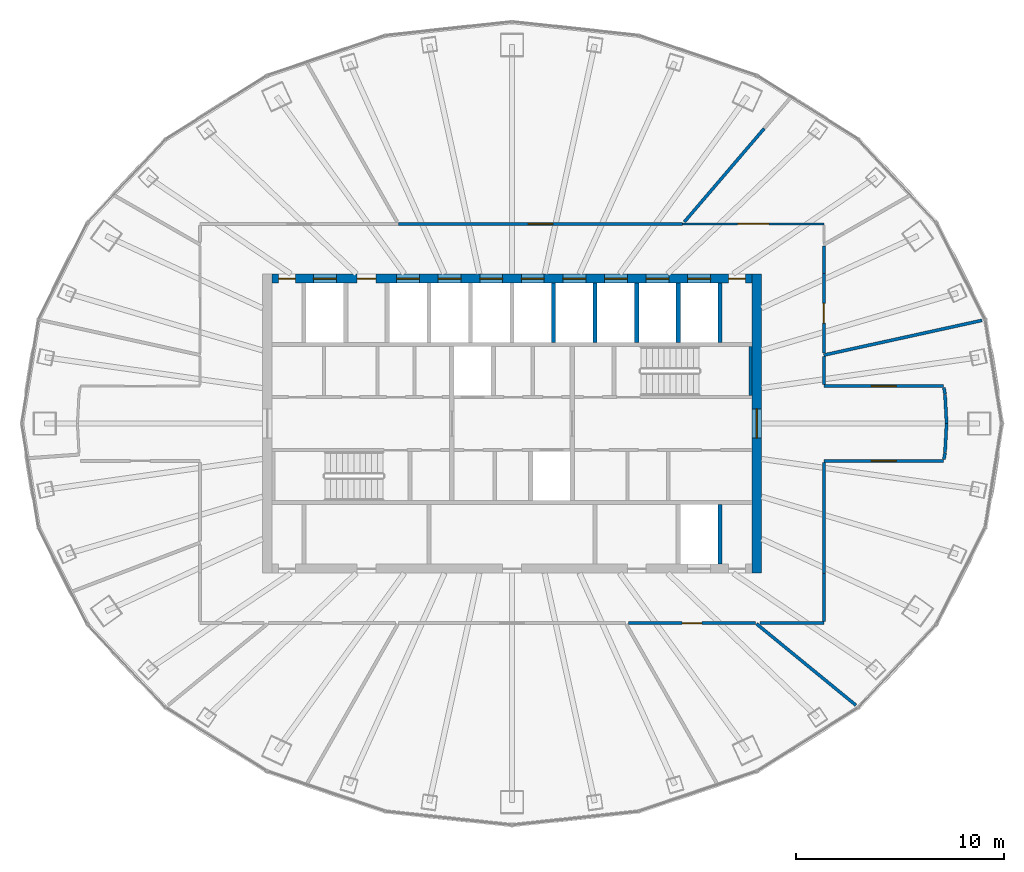
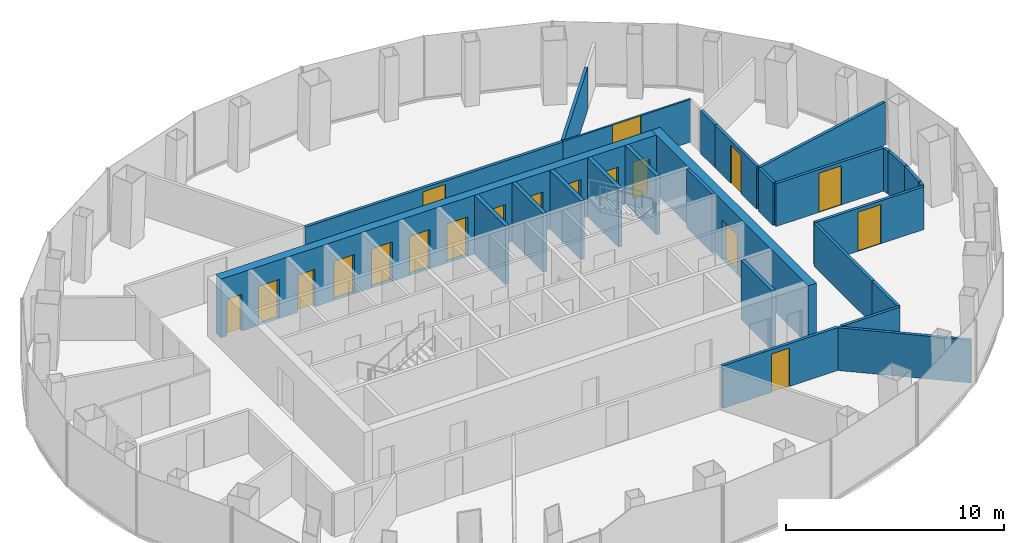
# One storey, part 11 of 13: 27 walls, 19 doors, 19 openings.
"""IFC4 building model written with IfcOpenShell, lengths in metres."""

from ifc_helpers import new_model, si_unit, direction, frame, frame_2d, origin, place, context, subcontext, project, spatial, rectangle, extrude, material, layer, layer_set, type_object, element, fill, save


model = new_model("IFC4")

# Units and contexts
model_context = context("Model", 3, precision=1e-05, world=origin(), true_north=direction((0.0, 1.0)))
body_context = subcontext(model_context, "Body", "Model", "MODEL_VIEW")
ifc_project = project(units=[si_unit("LENGTHUNIT", "METRE"), si_unit("AREAUNIT", "SQUARE_METRE"), si_unit("VOLUMEUNIT", "CUBIC_METRE"), si_unit("PLANEANGLEUNIT", "RADIAN"), si_unit("MASSUNIT", "GRAM", prefix="KILO")], contexts=[model_context])

# Site, building, storey
site_placement = place(None, origin())
site = spatial("IfcSite", under=ifc_project, at=site_placement, CompositionType="ELEMENT")
building_placement = place(site_placement, origin())
building = spatial("IfcBuilding", under=site, at=building_placement, Name="Siaravel Broadcast Tower", CompositionType="ELEMENT")
storey_placement = place(building_placement, frame((0.0, 0.0, 171.89990234375)))
storey = spatial("IfcBuildingStorey", under=building, at=storey_placement, Name="L41", CompositionType="ELEMENT", Elevation=171.89990234375)

# Wall, opening, door
ifc_material_1 = material(Name="Concrete C60/75", Category="concrete")
ifc_layer_1 = layer(ifc_material_1, 0.449951171875)
ifc_layer_set_1 = layer_set([ifc_layer_1], Name="Concrete C60/75")
wall_type_1 = type_object("IfcWallType", Name="Core wall 450", PredefinedType="SHEAR", material=ifc_layer_set_1)
wall_1_placement = place(storey_placement, frame((11.77490234375, -7.199951171875, 0.0), z_axis=(0.0, 0.0, 1.0), x_axis=(0.0, 1.0, 0.0)))
wall_1 = element("IfcWall", 1, at=wall_1_placement, inside=storey, type_object=wall_type_1, Name="L41 core wall OE", PredefinedType="SHEAR", context=body_context, shape_type="SweptSolid", body=[
    extrude(rectangle(XDim=14.39990234375, YDim=0.449951171875, at=frame_2d((7.199951171875, 0.0))), origin(), (0.0, 0.0, 1.0), 3.300048828125),
])
opening_1_placement = place(wall_1_placement, frame((6.5, 0.0, 0.0)))
opening_1 = element("IfcOpeningElement", 2, at=opening_1_placement, cuts=wall_1, Name="Opening L41-DX-E", PredefinedType="OPENING", context=body_context, shape_type="SweptSolid", body=[
    extrude(rectangle(XDim=1.39990234375, YDim=2.199951171875, at=frame_2d((0.699951171875, 1.10009765625))), frame((0.0, 0.23486328125, 0.0), z_axis=(0.0, -1.0, 0.0), x_axis=(1.0, 0.0, 0.0)), (0.0, 0.0, 1.0), 0.469970703125),
])
ifc_material_2 = material(Name="Steel", Category="steel")
door_type_1 = type_object("IfcDoorType", Name="Core exit door 1400", OperationType="DOUBLE_DOOR_SINGLE_SWING", PredefinedType="DOOR", material=ifc_material_2)
door_1_placement = place(opening_1_placement, origin())
door_1 = element("IfcDoor", 3, at=door_1_placement, inside=storey, type_object=door_type_1, Name="L41 door DX-E", OperationType="DOUBLE_DOOR_SINGLE_SWING", OverallHeight=2.199951171875, OverallWidth=1.39990234375, PredefinedType="DOOR", context=body_context, shape_type="SweptSolid", body=[
    extrude(rectangle(XDim=1.39990234375, YDim=2.199951171875, at=frame_2d((0.699951171875, 1.10009765625))), frame((0.0, 0.02490234375, 0.0), z_axis=(0.0, -1.0, 0.0), x_axis=(1.0, 0.0, 0.0)), (0.0, 0.0, 1.0), 0.050048828125),
])
fill(opening_1, door_1)

# Wall, openings, doors
wall_2_placement = place(storey_placement, frame((-11.550048828125, 6.97509765625, 0.0), z_axis=(0.0, 0.0, 1.0), x_axis=(1.0, 0.0, 0.0)))
wall_2 = element("IfcWall", 4, at=wall_2_placement, inside=storey, type_object=wall_type_1, Name="L41 core wall ON", PredefinedType="SHEAR", context=body_context, shape_type="SweptSolid", body=[
    extrude(rectangle(XDim=23.10009765625, YDim=0.449951171875, at=frame_2d((11.550048828125, 0.0))), origin(), (0.0, 0.0, 1.0), 3.300048828125),
])
opening_2_placement = place(wall_2_placement, frame((2.0, 0.0, 0.0)))
opening_2 = element("IfcOpeningElement", 5, at=opening_2_placement, cuts=wall_2, Name="Opening LD-SV2-L41", PredefinedType="OPENING", context=body_context, shape_type="SweptSolid", body=[
    extrude(rectangle(XDim=1.10009765625, YDim=2.199951171875, at=frame_2d((0.550048828125, 1.10009765625))), frame((0.0, 0.23486328125, 0.0), z_axis=(0.0, -1.0, 0.0), x_axis=(1.0, 0.0, 0.0)), (0.0, 0.0, 1.0), 0.469970703125),
])
opening_3_placement = place(wall_2_placement, frame((6.0, 0.0, 0.0)))
opening_3 = element("IfcOpeningElement", 6, at=opening_3_placement, cuts=wall_2, Name="Opening LD-HP1-L41", PredefinedType="OPENING", context=body_context, shape_type="SweptSolid", body=[
    extrude(rectangle(XDim=1.10009765625, YDim=2.199951171875, at=frame_2d((0.550048828125, 1.10009765625))), frame((0.0, 0.23486328125, 0.0), z_axis=(0.0, -1.0, 0.0), x_axis=(1.0, 0.0, 0.0)), (0.0, 0.0, 1.0), 0.469970703125),
])
opening_4_placement = place(wall_2_placement, frame((8.0, 0.0, 0.0)))
opening_4 = element("IfcOpeningElement", 7, at=opening_4_placement, cuts=wall_2, Name="Opening LD-HP2-L41", PredefinedType="OPENING", context=body_context, shape_type="SweptSolid", body=[
    extrude(rectangle(XDim=1.10009765625, YDim=2.199951171875, at=frame_2d((0.550048828125, 1.10009765625))), frame((0.0, 0.23486328125, 0.0), z_axis=(0.0, -1.0, 0.0), x_axis=(1.0, 0.0, 0.0)), (0.0, 0.0, 1.0), 0.469970703125),
])
opening_5_placement = place(wall_2_placement, frame((10.0, 0.0, 0.0)))
opening_5 = element("IfcOpeningElement", 8, at=opening_5_placement, cuts=wall_2, Name="Opening LD-HP3-L41", PredefinedType="OPENING", context=body_context, shape_type="SweptSolid", body=[
    extrude(rectangle(XDim=1.10009765625, YDim=2.199951171875, at=frame_2d((0.550048828125, 1.10009765625))), frame((0.0, 0.23486328125, 0.0), z_axis=(0.0, -1.0, 0.0), x_axis=(1.0, 0.0, 0.0)), (0.0, 0.0, 1.0), 0.469970703125),
])
opening_6_placement = place(wall_2_placement, frame((12.0, 0.0, 0.0)))
opening_6 = element("IfcOpeningElement", 9, at=opening_6_placement, cuts=wall_2, Name="Opening LD-HP4-L41", PredefinedType="OPENING", context=body_context, shape_type="SweptSolid", body=[
    extrude(rectangle(XDim=1.10009765625, YDim=2.199951171875, at=frame_2d((0.550048828125, 1.10009765625))), frame((0.0, 0.23486328125, 0.0), z_axis=(0.0, -1.0, 0.0), x_axis=(1.0, 0.0, 0.0)), (0.0, 0.0, 1.0), 0.469970703125),
])
opening_7_placement = place(wall_2_placement, frame((14.0, 0.0, 0.0)))
opening_7 = element("IfcOpeningElement", 10, at=opening_7_placement, cuts=wall_2, Name="Opening LD-HP5-L41", PredefinedType="OPENING", context=body_context, shape_type="SweptSolid", body=[
    extrude(rectangle(XDim=1.10009765625, YDim=2.199951171875, at=frame_2d((0.550048828125, 1.10009765625))), frame((0.0, 0.23486328125, 0.0), z_axis=(0.0, -1.0, 0.0), x_axis=(1.0, 0.0, 0.0)), (0.0, 0.0, 1.0), 0.469970703125),
])
opening_8_placement = place(wall_2_placement, frame((16.0, 0.0, 0.0)))
opening_8 = element("IfcOpeningElement", 11, at=opening_8_placement, cuts=wall_2, Name="Opening LD-HP6-L41", PredefinedType="OPENING", context=body_context, shape_type="SweptSolid", body=[
    extrude(rectangle(XDim=1.10009765625, YDim=2.199951171875, at=frame_2d((0.550048828125, 1.10009765625))), frame((0.0, 0.23486328125, 0.0), z_axis=(0.0, -1.0, 0.0), x_axis=(1.0, 0.0, 0.0)), (0.0, 0.0, 1.0), 0.469970703125),
])
opening_9_placement = place(wall_2_placement, frame((18.0, 0.0, 0.0)))
opening_9 = element("IfcOpeningElement", 12, at=opening_9_placement, cuts=wall_2, Name="Opening LD-HP7-L41", PredefinedType="OPENING", context=body_context, shape_type="SweptSolid", body=[
    extrude(rectangle(XDim=1.10009765625, YDim=2.199951171875, at=frame_2d((0.550048828125, 1.10009765625))), frame((0.0, 0.23486328125, 0.0), z_axis=(0.0, -1.0, 0.0), x_axis=(1.0, 0.0, 0.0)), (0.0, 0.0, 1.0), 0.469970703125),
])
opening_10_placement = place(wall_2_placement, frame((20.0, 0.0, 0.0)))
opening_10 = element("IfcOpeningElement", 13, at=opening_10_placement, cuts=wall_2, Name="Opening LD-HP8-L41", PredefinedType="OPENING", context=body_context, shape_type="SweptSolid", body=[
    extrude(rectangle(XDim=1.10009765625, YDim=2.199951171875, at=frame_2d((0.550048828125, 1.10009765625))), frame((0.0, 0.23486328125, 0.0), z_axis=(0.0, -1.0, 0.0), x_axis=(1.0, 0.0, 0.0)), (0.0, 0.0, 1.0), 0.469970703125),
])
opening_11_placement = place(wall_2_placement, frame((4.10009765625, 0.0, 0.0)))
opening_11 = element("IfcOpeningElement", 14, at=opening_11_placement, cuts=wall_2, Name="Opening L41-DFN1", PredefinedType="OPENING", context=body_context, shape_type="SweptSolid", body=[
    extrude(rectangle(XDim=0.89990234375, YDim=2.10009765625, at=frame_2d((0.449951171875, 1.050048828125))), frame((0.0, 0.23486328125, 0.0), z_axis=(0.0, -1.0, 0.0), x_axis=(1.0, 0.0, 0.0)), (0.0, 0.0, 1.0), 0.469970703125),
])
opening_12_placement = place(wall_2_placement, frame((0.324951171875, 0.0, 0.0)))
opening_12 = element("IfcOpeningElement", 15, at=opening_12_placement, cuts=wall_2, Name="Opening L41-DRNW", PredefinedType="OPENING", context=body_context, shape_type="SweptSolid", body=[
    extrude(rectangle(XDim=0.800048828125, YDim=2.050048828125, at=frame_2d((0.39990234375, 1.02490234375))), frame((0.0, 0.23486328125, 0.0), z_axis=(0.0, -1.0, 0.0), x_axis=(1.0, 0.0, 0.0)), (0.0, 0.0, 1.0), 0.469970703125),
])
opening_13_placement = place(wall_2_placement, frame((21.97509765625, 0.0, 0.0)))
opening_13 = element("IfcOpeningElement", 16, at=opening_13_placement, cuts=wall_2, Name="Opening L41-DRNE", PredefinedType="OPENING", context=body_context, shape_type="SweptSolid", body=[
    extrude(rectangle(XDim=0.800048828125, YDim=2.050048828125, at=frame_2d((0.39990234375, 1.02490234375))), frame((0.0, 0.23486328125, 0.0), z_axis=(0.0, -1.0, 0.0), x_axis=(1.0, 0.0, 0.0)), (0.0, 0.0, 1.0), 0.469970703125),
])
ifc_material_3 = material(Name="Timber veneer", Category="wood")
door_type_2 = type_object("IfcDoorType", Name="Core room door 900", OperationType="SINGLE_SWING_LEFT", PredefinedType="DOOR", material=ifc_material_3)
door_2_placement = place(opening_11_placement, origin())
door_2 = element("IfcDoor", 17, at=door_2_placement, inside=storey, type_object=door_type_2, Name="L41 door DFN1", OperationType="SINGLE_SWING_LEFT", OverallHeight=2.10009765625, OverallWidth=0.89990234375, PredefinedType="DOOR", context=body_context, shape_type="SweptSolid", body=[
    extrude(rectangle(XDim=0.89990234375, YDim=2.10009765625, at=frame_2d((0.449951171875, 1.050048828125))), frame((0.0, 0.02490234375, 0.0), z_axis=(0.0, -1.0, 0.0), x_axis=(1.0, 0.0, 0.0)), (0.0, 0.0, 1.0), 0.050048828125),
])
fill(opening_11, door_2)
ifc_material_4 = material(Name="Stainless steel 316L", Category="steel")
door_type_3 = type_object("IfcDoorType", Name="Lift landing door 1100", OperationType="DOUBLE_DOOR_SLIDING", PredefinedType="DOOR", material=ifc_material_4)
door_3_placement = place(opening_3_placement, origin())
door_3 = element("IfcDoor", 18, at=door_3_placement, inside=storey, type_object=door_type_3, Name="Landing door HP1 L41", OperationType="DOUBLE_DOOR_SLIDING", OverallHeight=2.199951171875, OverallWidth=1.10009765625, PredefinedType="DOOR", context=body_context, shape_type="SweptSolid", body=[
    extrude(rectangle(XDim=1.10009765625, YDim=2.199951171875, at=frame_2d((0.550048828125, 1.10009765625))), frame((0.0, 0.02490234375, 0.0), z_axis=(0.0, -1.0, 0.0), x_axis=(1.0, 0.0, 0.0)), (0.0, 0.0, 1.0), 0.050048828125),
])
fill(opening_3, door_3)
door_4_placement = place(opening_4_placement, origin())
door_4 = element("IfcDoor", 19, at=door_4_placement, inside=storey, type_object=door_type_3, Name="Landing door HP2 L41", OperationType="DOUBLE_DOOR_SLIDING", OverallHeight=2.199951171875, OverallWidth=1.10009765625, PredefinedType="DOOR", context=body_context, shape_type="SweptSolid", body=[
    extrude(rectangle(XDim=1.10009765625, YDim=2.199951171875, at=frame_2d((0.550048828125, 1.10009765625))), frame((0.0, 0.02490234375, 0.0), z_axis=(0.0, -1.0, 0.0), x_axis=(1.0, 0.0, 0.0)), (0.0, 0.0, 1.0), 0.050048828125),
])
fill(opening_4, door_4)
door_5_placement = place(opening_5_placement, origin())
door_5 = element("IfcDoor", 20, at=door_5_placement, inside=storey, type_object=door_type_3, Name="Landing door HP3 L41", OperationType="DOUBLE_DOOR_SLIDING", OverallHeight=2.199951171875, OverallWidth=1.10009765625, PredefinedType="DOOR", context=body_context, shape_type="SweptSolid", body=[
    extrude(rectangle(XDim=1.10009765625, YDim=2.199951171875, at=frame_2d((0.550048828125, 1.10009765625))), frame((0.0, 0.02490234375, 0.0), z_axis=(0.0, -1.0, 0.0), x_axis=(1.0, 0.0, 0.0)), (0.0, 0.0, 1.0), 0.050048828125),
])
fill(opening_5, door_5)
door_6_placement = place(opening_6_placement, origin())
door_6 = element("IfcDoor", 21, at=door_6_placement, inside=storey, type_object=door_type_3, Name="Landing door HP4 L41", OperationType="DOUBLE_DOOR_SLIDING", OverallHeight=2.199951171875, OverallWidth=1.10009765625, PredefinedType="DOOR", context=body_context, shape_type="SweptSolid", body=[
    extrude(rectangle(XDim=1.10009765625, YDim=2.199951171875, at=frame_2d((0.550048828125, 1.10009765625))), frame((0.0, 0.02490234375, 0.0), z_axis=(0.0, -1.0, 0.0), x_axis=(1.0, 0.0, 0.0)), (0.0, 0.0, 1.0), 0.050048828125),
])
fill(opening_6, door_6)
door_7_placement = place(opening_7_placement, origin())
door_7 = element("IfcDoor", 22, at=door_7_placement, inside=storey, type_object=door_type_3, Name="Landing door HP5 L41", OperationType="DOUBLE_DOOR_SLIDING", OverallHeight=2.199951171875, OverallWidth=1.10009765625, PredefinedType="DOOR", context=body_context, shape_type="SweptSolid", body=[
    extrude(rectangle(XDim=1.10009765625, YDim=2.199951171875, at=frame_2d((0.550048828125, 1.10009765625))), frame((0.0, 0.02490234375, 0.0), z_axis=(0.0, -1.0, 0.0), x_axis=(1.0, 0.0, 0.0)), (0.0, 0.0, 1.0), 0.050048828125),
])
fill(opening_7, door_7)
door_8_placement = place(opening_8_placement, origin())
door_8 = element("IfcDoor", 23, at=door_8_placement, inside=storey, type_object=door_type_3, Name="Landing door HP6 L41", OperationType="DOUBLE_DOOR_SLIDING", OverallHeight=2.199951171875, OverallWidth=1.10009765625, PredefinedType="DOOR", context=body_context, shape_type="SweptSolid", body=[
    extrude(rectangle(XDim=1.10009765625, YDim=2.199951171875, at=frame_2d((0.550048828125, 1.10009765625))), frame((0.0, 0.02490234375, 0.0), z_axis=(0.0, -1.0, 0.0), x_axis=(1.0, 0.0, 0.0)), (0.0, 0.0, 1.0), 0.050048828125),
])
fill(opening_8, door_8)
door_9_placement = place(opening_9_placement, origin())
door_9 = element("IfcDoor", 24, at=door_9_placement, inside=storey, type_object=door_type_3, Name="Landing door HP7 L41", OperationType="DOUBLE_DOOR_SLIDING", OverallHeight=2.199951171875, OverallWidth=1.10009765625, PredefinedType="DOOR", context=body_context, shape_type="SweptSolid", body=[
    extrude(rectangle(XDim=1.10009765625, YDim=2.199951171875, at=frame_2d((0.550048828125, 1.10009765625))), frame((0.0, 0.02490234375, 0.0), z_axis=(0.0, -1.0, 0.0), x_axis=(1.0, 0.0, 0.0)), (0.0, 0.0, 1.0), 0.050048828125),
])
fill(opening_9, door_9)
door_10_placement = place(opening_10_placement, origin())
door_10 = element("IfcDoor", 25, at=door_10_placement, inside=storey, type_object=door_type_3, Name="Landing door HP8 L41", OperationType="DOUBLE_DOOR_SLIDING", OverallHeight=2.199951171875, OverallWidth=1.10009765625, PredefinedType="DOOR", context=body_context, shape_type="SweptSolid", body=[
    extrude(rectangle(XDim=1.10009765625, YDim=2.199951171875, at=frame_2d((0.550048828125, 1.10009765625))), frame((0.0, 0.02490234375, 0.0), z_axis=(0.0, -1.0, 0.0), x_axis=(1.0, 0.0, 0.0)), (0.0, 0.0, 1.0), 0.050048828125),
])
fill(opening_10, door_10)
door_type_4 = type_object("IfcDoorType", Name="Riser door 800", OperationType="SINGLE_SWING_LEFT", PredefinedType="DOOR", material=ifc_material_2)
door_11_placement = place(opening_12_placement, origin())
door_11 = element("IfcDoor", 26, at=door_11_placement, inside=storey, type_object=door_type_4, Name="L41 door DRNW", OperationType="SINGLE_SWING_LEFT", OverallHeight=2.050048828125, OverallWidth=0.800048828125, PredefinedType="DOOR", context=body_context, shape_type="SweptSolid", body=[
    extrude(rectangle(XDim=0.800048828125, YDim=2.050048828125, at=frame_2d((0.39990234375, 1.02490234375))), frame((0.0, 0.02490234375, 0.0), z_axis=(0.0, -1.0, 0.0), x_axis=(1.0, 0.0, 0.0)), (0.0, 0.0, 1.0), 0.050048828125),
])
fill(opening_12, door_11)
door_12_placement = place(opening_13_placement, origin())
door_12 = element("IfcDoor", 27, at=door_12_placement, inside=storey, type_object=door_type_4, Name="L41 door DRNE", OperationType="SINGLE_SWING_LEFT", OverallHeight=2.050048828125, OverallWidth=0.800048828125, PredefinedType="DOOR", context=body_context, shape_type="SweptSolid", body=[
    extrude(rectangle(XDim=0.800048828125, YDim=2.050048828125, at=frame_2d((0.39990234375, 1.02490234375))), frame((0.0, 0.02490234375, 0.0), z_axis=(0.0, -1.0, 0.0), x_axis=(1.0, 0.0, 0.0)), (0.0, 0.0, 1.0), 0.050048828125),
])
fill(opening_13, door_12)
door_type_5 = type_object("IfcDoorType", Name="Service lift landing door 1100", OperationType="DOUBLE_DOOR_SLIDING", PredefinedType="DOOR", material=ifc_material_4)
door_13_placement = place(opening_2_placement, origin())
door_13 = element("IfcDoor", 28, at=door_13_placement, inside=storey, type_object=door_type_5, Name="Landing door SV2 L41", OperationType="DOUBLE_DOOR_SLIDING", OverallHeight=2.199951171875, OverallWidth=1.10009765625, PredefinedType="DOOR", context=body_context, shape_type="SweptSolid", body=[
    extrude(rectangle(XDim=1.10009765625, YDim=2.199951171875, at=frame_2d((0.550048828125, 1.10009765625))), frame((0.0, 0.02490234375, 0.0), z_axis=(0.0, -1.0, 0.0), x_axis=(1.0, 0.0, 0.0)), (0.0, 0.0, 1.0), 0.050048828125),
])
fill(opening_2, door_13)

# Wall, opening, door
ifc_material_5 = material(Name="Gypsum board partition", Category="gypsum")
ifc_layer_2 = layer(ifc_material_5, 0.14990234375)
ifc_layer_set_2 = layer_set([ifc_layer_2], Name="Gypsum board partition")
wall_type_2 = type_object("IfcWallType", Name="Corridor wall 150", PredefinedType="PARTITIONING", material=ifc_layer_set_2)
wall_3_placement = place(storey_placement, frame((8.206298828125, 9.60009765625, 0.0), z_axis=(0.0, 0.0, 1.0), x_axis=(-1.0, 0.0, 0.0)))
wall_3 = element("IfcWall", 29, at=wall_3_placement, inside=storey, type_object=wall_type_2, Name="L41 partition 1", PredefinedType="PARTITIONING", context=body_context, shape_type="SweptSolid", body=[
    extrude(rectangle(XDim=13.67138671875, YDim=0.14990234375, at=frame_2d((6.835693359375, 0.0))), origin(), (0.0, 0.0, 1.0), 2.400146484375),
])
opening_14_placement = place(wall_3_placement, frame((6.23583984375, 0.0, 0.0)))
opening_14 = element("IfcOpeningElement", 30, at=opening_14_placement, cuts=wall_3, Name="Opening L41-008", PredefinedType="OPENING", context=body_context, shape_type="SweptSolid", body=[
    extrude(rectangle(XDim=1.199951171875, YDim=2.199951171875, at=frame_2d((0.60009765625, 1.10009765625))), frame((0.0, 0.0849609375, 0.0), z_axis=(0.0, -1.0, 0.0), x_axis=(1.0, 0.0, 0.0)), (0.0, 0.0, 1.0), 0.169921875),
])
door_type_6 = type_object("IfcDoorType", Name="Office double door 1200", OperationType="DOUBLE_DOOR_SINGLE_SWING", PredefinedType="DOOR", material=ifc_material_3)
door_14_placement = place(opening_14_placement, origin())
door_14 = element("IfcDoor", 31, at=door_14_placement, inside=storey, type_object=door_type_6, Name="L41 door to Open plan office", OperationType="DOUBLE_DOOR_SINGLE_SWING", OverallHeight=2.199951171875, OverallWidth=1.199951171875, PredefinedType="DOOR", context=body_context, shape_type="SweptSolid", body=[
    extrude(rectangle(XDim=1.199951171875, YDim=2.199951171875, at=frame_2d((0.60009765625, 1.10009765625))), frame((0.0, 0.02490234375, 0.0), z_axis=(0.0, -1.0, 0.0), x_axis=(1.0, 0.0, 0.0)), (0.0, 0.0, 1.0), 0.050048828125),
])
fill(opening_14, door_14)

wall_4_placement = place(storey_placement, frame((5.59619140625, -9.60009765625, 0.0), z_axis=(0.0, 0.0, 1.0), x_axis=(1.0, 0.0, 0.0)))
wall_4 = element("IfcWall", 32, at=wall_4_placement, inside=storey, type_object=wall_type_2, Name="L41 partition 12", PredefinedType="PARTITIONING", context=body_context, shape_type="SweptSolid", body=[
    extrude(rectangle(XDim=6.123779296875, YDim=0.14990234375, at=frame_2d((3.06201171875, 0.0))), origin(), (0.0, 0.0, 1.0), 2.400146484375),
])
opening_15_placement = place(wall_4_placement, frame((2.5869140625, 0.0, 0.0)))
opening_15 = element("IfcOpeningElement", 33, at=opening_15_placement, cuts=wall_4, Name="Opening L41-003", PredefinedType="OPENING", context=body_context, shape_type="SweptSolid", body=[
    extrude(rectangle(XDim=0.949951171875, YDim=2.14990234375, at=frame_2d((0.47509765625, 1.074951171875))), frame((0.0, 0.0849609375, 0.0), z_axis=(0.0, -1.0, 0.0), x_axis=(1.0, 0.0, 0.0)), (0.0, 0.0, 1.0), 0.169921875),
])
door_type_7 = type_object("IfcDoorType", Name="Office door 950", OperationType="SINGLE_SWING_LEFT", PredefinedType="DOOR", material=ifc_material_3)
door_15_placement = place(opening_15_placement, origin())
door_15 = element("IfcDoor", 34, at=door_15_placement, inside=storey, type_object=door_type_7, Name="L41 door to Office", OperationType="SINGLE_SWING_LEFT", OverallHeight=2.14990234375, OverallWidth=0.949951171875, PredefinedType="DOOR", context=body_context, shape_type="SweptSolid", body=[
    extrude(rectangle(XDim=0.949951171875, YDim=2.14990234375, at=frame_2d((0.47509765625, 1.074951171875))), frame((0.0, 0.02490234375, 0.0), z_axis=(0.0, -1.0, 0.0), x_axis=(1.0, 0.0, 0.0)), (0.0, 0.0, 1.0), 0.050048828125),
])
fill(opening_15, door_15)

wall_5_placement = place(storey_placement, frame((15.0, -1.800048828125, 0.0), z_axis=(0.0, 0.0, 1.0), x_axis=(1.0, 0.0, 0.0)))
wall_5 = element("IfcWall", 35, at=wall_5_placement, inside=storey, type_object=wall_type_2, Name="L41 partition 18", PredefinedType="PARTITIONING", context=body_context, shape_type="SweptSolid", body=[
    extrude(rectangle(XDim=5.766357421875, YDim=0.14990234375, at=frame_2d((2.88330078125, 0.0))), origin(), (0.0, 0.0, 1.0), 2.400146484375),
])
opening_16_placement = place(wall_5_placement, frame((2.283203125, 0.0, 0.0)))
opening_16 = element("IfcOpeningElement", 36, at=opening_16_placement, cuts=wall_5, Name="Opening L41-004", PredefinedType="OPENING", context=body_context, shape_type="SweptSolid", body=[
    extrude(rectangle(XDim=1.199951171875, YDim=2.199951171875, at=frame_2d((0.60009765625, 1.10009765625))), frame((0.0, 0.0849609375, 0.0), z_axis=(0.0, -1.0, 0.0), x_axis=(1.0, 0.0, 0.0)), (0.0, 0.0, 1.0), 0.169921875),
])
door_16_placement = place(opening_16_placement, origin())
door_16 = element("IfcDoor", 37, at=door_16_placement, inside=storey, type_object=door_type_6, Name="L41 door to Open plan office", OperationType="DOUBLE_DOOR_SINGLE_SWING", OverallHeight=2.199951171875, OverallWidth=1.199951171875, PredefinedType="DOOR", context=body_context, shape_type="SweptSolid", body=[
    extrude(rectangle(XDim=1.199951171875, YDim=2.199951171875, at=frame_2d((0.60009765625, 1.10009765625))), frame((0.0, 0.02490234375, 0.0), z_axis=(0.0, -1.0, 0.0), x_axis=(1.0, 0.0, 0.0)), (0.0, 0.0, 1.0), 0.050048828125),
])
fill(opening_16, door_16)

wall_6_placement = place(storey_placement, frame((20.766357421875, 1.800048828125, 0.0), z_axis=(0.0, 0.0, 1.0), x_axis=(-1.0, 0.0, 0.0)))
wall_6 = element("IfcWall", 38, at=wall_6_placement, inside=storey, type_object=wall_type_2, Name="L41 partition 19", PredefinedType="PARTITIONING", context=body_context, shape_type="SweptSolid", body=[
    extrude(rectangle(XDim=5.766357421875, YDim=0.14990234375, at=frame_2d((2.88330078125, 0.0))), origin(), (0.0, 0.0, 1.0), 2.400146484375),
])
opening_17_placement = place(wall_6_placement, frame((2.283203125, 0.0, 0.0)))
opening_17 = element("IfcOpeningElement", 39, at=opening_17_placement, cuts=wall_6, Name="Opening L41-005", PredefinedType="OPENING", context=body_context, shape_type="SweptSolid", body=[
    extrude(rectangle(XDim=1.199951171875, YDim=2.199951171875, at=frame_2d((0.60009765625, 1.10009765625))), frame((0.0, 0.0849609375, 0.0), z_axis=(0.0, -1.0, 0.0), x_axis=(1.0, 0.0, 0.0)), (0.0, 0.0, 1.0), 0.169921875),
])
door_17_placement = place(opening_17_placement, origin())
door_17 = element("IfcDoor", 40, at=door_17_placement, inside=storey, type_object=door_type_6, Name="L41 door to Open plan office", OperationType="DOUBLE_DOOR_SINGLE_SWING", OverallHeight=2.199951171875, OverallWidth=1.199951171875, PredefinedType="DOOR", context=body_context, shape_type="SweptSolid", body=[
    extrude(rectangle(XDim=1.199951171875, YDim=2.199951171875, at=frame_2d((0.60009765625, 1.10009765625))), frame((0.0, 0.02490234375, 0.0), z_axis=(0.0, -1.0, 0.0), x_axis=(1.0, 0.0, 0.0)), (0.0, 0.0, 1.0), 0.050048828125),
])
fill(opening_17, door_17)

# Wall
wall_7_placement = place(storey_placement, frame((15.0, -7.2119140625, 0.0), z_axis=(0.0, 0.0, 1.0), x_axis=(0.0, 1.0, 0.0)))
element("IfcWall", 41, at=wall_7_placement, inside=storey, type_object=wall_type_2, Name="L41 partition 20", PredefinedType="PARTITIONING", context=body_context, shape_type="SweptSolid", body=[
    extrude(rectangle(XDim=5.3349609375, YDim=0.14990234375, at=frame_2d((2.66748046875, 0.0))), origin(), (0.0, 0.0, 1.0), 2.400146484375),
])

# Wall, opening, door
wall_8_placement = place(storey_placement, frame((15.0, 3.387451171875, 0.0), z_axis=(0.0, 0.0, 1.0), x_axis=(0.0, 1.0, 0.0)))
wall_8 = element("IfcWall", 42, at=wall_8_placement, inside=storey, type_object=wall_type_2, Name="L41 partition 25", PredefinedType="PARTITIONING", context=body_context, shape_type="SweptSolid", body=[
    extrude(rectangle(XDim=3.824462890625, YDim=0.14990234375, at=frame_2d((1.912109375, 0.0))), origin(), (0.0, 0.0, 1.0), 2.400146484375),
])
opening_18_placement = place(wall_8_placement, frame((1.437255859375, 0.0, 0.0)))
opening_18 = element("IfcOpeningElement", 43, at=opening_18_placement, cuts=wall_8, Name="Opening L41-006", PredefinedType="OPENING", context=body_context, shape_type="SweptSolid", body=[
    extrude(rectangle(XDim=0.949951171875, YDim=2.14990234375, at=frame_2d((0.47509765625, 1.074951171875))), frame((0.0, 0.0849609375, 0.0), z_axis=(0.0, -1.0, 0.0), x_axis=(1.0, 0.0, 0.0)), (0.0, 0.0, 1.0), 0.169921875),
])
door_18_placement = place(opening_18_placement, origin())
door_18 = element("IfcDoor", 44, at=door_18_placement, inside=storey, type_object=door_type_7, Name="L41 door to Office", OperationType="SINGLE_SWING_RIGHT", OverallHeight=2.14990234375, OverallWidth=0.949951171875, PredefinedType="DOOR", context=body_context, shape_type="SweptSolid", body=[
    extrude(rectangle(XDim=0.949951171875, YDim=2.14990234375, at=frame_2d((0.47509765625, 1.074951171875))), frame((0.0, 0.02490234375, 0.0), z_axis=(0.0, -1.0, 0.0), x_axis=(1.0, 0.0, 0.0)), (0.0, 0.0, 1.0), 0.050048828125),
])
fill(opening_18, door_18)

# Walls
wall_9_placement = place(storey_placement, frame((11.931884765625, -9.60009765625, 0.0), z_axis=(0.0, 0.0, 1.0), x_axis=(1.0, 0.0, 0.0)))
element("IfcWall", 45, at=wall_9_placement, inside=storey, type_object=wall_type_2, Name="L41 partition 26", PredefinedType="PARTITIONING", context=body_context, shape_type="SweptSolid", body=[
    extrude(rectangle(XDim=3.068115234375, YDim=0.14990234375, at=frame_2d((1.5341796875, 0.0))), origin(), (0.0, 0.0, 1.0), 2.400146484375),
])
wall_10_placement = place(storey_placement, frame((15.0, -9.52294921875, 0.0), z_axis=(0.0, 0.0, 1.0), x_axis=(0.0, 1.0, 0.0)))
element("IfcWall", 46, at=wall_10_placement, inside=storey, type_object=wall_type_2, Name="L41 partition 30", PredefinedType="PARTITIONING", context=body_context, shape_type="SweptSolid", body=[
    extrude(rectangle(XDim=2.31005859375, YDim=0.14990234375, at=frame_2d((1.155029296875, 0.0))), origin(), (0.0, 0.0, 1.0), 2.400146484375),
])
wall_11_placement = place(storey_placement, frame((15.0, 1.876953125, 0.0), z_axis=(0.0, 0.0, 1.0), x_axis=(0.0, 1.0, 0.0)))
element("IfcWall", 47, at=wall_11_placement, inside=storey, type_object=wall_type_2, Name="L41 partition 34", PredefinedType="PARTITIONING", context=body_context, shape_type="SweptSolid", body=[
    extrude(rectangle(XDim=1.33984375, YDim=0.14990234375, at=frame_2d((0.669921875, 0.0))), origin(), (0.0, 0.0, 1.0), 2.400146484375),
])
wall_12_placement = place(storey_placement, frame((15.0, 7.212890625, 0.0), z_axis=(0.0, 0.0, 1.0), x_axis=(0.0, 1.0, 0.0)))
element("IfcWall", 48, at=wall_12_placement, inside=storey, type_object=wall_type_2, Name="L41 partition 37", PredefinedType="PARTITIONING", context=body_context, shape_type="SweptSolid", body=[
    extrude(rectangle(XDim=1.3232421875, YDim=0.14990234375, at=frame_2d((0.66162109375, 0.0))), origin(), (0.0, 0.0, 1.0), 2.400146484375),
])
wall_13_placement = place(storey_placement, frame((20.830322265625, -1.4013671875, 0.0), z_axis=(0.0, 0.0, 1.0), x_axis=(0.053234513, 0.998582038, 0.0)))
element("IfcWall", 49, at=wall_13_placement, inside=storey, type_object=wall_type_2, Name="L41 partition 39", PredefinedType="PARTITIONING", context=body_context, shape_type="SweptSolid", body=[
    extrude(rectangle(XDim=1.4033203125, YDim=0.14990234375, at=frame_2d((0.70166015625, 0.0))), origin(), (0.0, 0.0, 1.0), 2.400146484375),
])
wall_14_placement = place(storey_placement, frame((20.904541015625, 0.010009765625, 0.0), z_axis=(0.0, 0.0, 1.0), x_axis=(-0.053266961, 0.998580308, 0.0)))
element("IfcWall", 50, at=wall_14_placement, inside=storey, type_object=wall_type_2, Name="L41 partition 40", PredefinedType="PARTITIONING", context=body_context, shape_type="SweptSolid", body=[
    extrude(rectangle(XDim=1.393310546875, YDim=0.14990234375, at=frame_2d((0.69677734375, 0.0))), origin(), (0.0, 0.0, 1.0), 2.400146484375),
])
for number, where, z_axis, x_axis, name in (
    (51, (20.7783203125, -1.724853515625, 0.0), (0.0, 0.0, 1.0), (0.159039191, 0.98727227, 0.0), "L41 partition 44"),
    (52, (20.828857421875, 1.4111328125, 0.0), (0.0, 0.0, 1.0), (-0.159039191, 0.98727227, 0.0), "L41 partition 45"),
):
    element("IfcWall", number, at=place(storey_placement, frame(where, z_axis=z_axis, x_axis=x_axis)), inside=storey, type_object=wall_type_2, Name=name, PredefinedType="PARTITIONING", context=body_context, shape_type="SweptSolid", body=[
        extrude(rectangle(XDim=0.31787109375, YDim=0.14990234375, at=frame_2d((0.158935546875, 0.0))), origin(), (0.0, 0.0, 1.0), 2.400146484375),
    ])

# Wall, opening, door
ifc_material_6 = material(Name="Glazed aluminium partition", Category="aluminium")
ifc_layer_3 = layer(ifc_material_6, 0.10009765625)
ifc_layer_set_3 = layer_set([ifc_layer_3], Name="Glazed aluminium partition")
wall_type_3 = type_object("IfcWallType", Name="Glazed meeting room partition 100", PredefinedType="PARTITIONING", material=ifc_layer_set_3)
wall_15_placement = place(storey_placement, frame((15.0, 9.60009765625, 0.0), z_axis=(0.0, 0.0, 1.0), x_axis=(-1.0, 0.0, 0.0)))
wall_15 = element("IfcWall", 53, at=wall_15_placement, inside=storey, type_object=wall_type_3, Name="L41 partition 9", PredefinedType="PARTITIONING", context=body_context, shape_type="SweptSolid", body=[
    extrude(rectangle(XDim=6.793701171875, YDim=0.10009765625, at=frame_2d((3.39697265625, 0.0))), origin(), (0.0, 0.0, 1.0), 2.400146484375),
])
opening_19_placement = place(wall_15_placement, frame((2.646728515625, 0.0, 0.0)))
opening_19 = element("IfcOpeningElement", 54, at=opening_19_placement, cuts=wall_15, Name="Opening L41-007", PredefinedType="OPENING", context=body_context, shape_type="SweptSolid", body=[
    extrude(rectangle(XDim=1.5, YDim=2.39990234375, at=frame_2d((0.75, 1.199951171875))), frame((0.0, 0.06005859375, 0.0), z_axis=(0.0, -1.0, 0.0), x_axis=(1.0, 0.0, 0.0)), (0.0, 0.0, 1.0), 0.1201171875),
])
door_type_8 = type_object("IfcDoorType", Name="Conference double door 1500", OperationType="DOUBLE_DOOR_SINGLE_SWING", PredefinedType="DOOR", material=ifc_material_3)
door_19_placement = place(opening_19_placement, origin())
door_19 = element("IfcDoor", 55, at=door_19_placement, inside=storey, type_object=door_type_8, Name="L41 door to Boardroom", OperationType="DOUBLE_DOOR_SINGLE_SWING", OverallHeight=2.39990234375, OverallWidth=1.5, PredefinedType="DOOR", context=body_context, shape_type="SweptSolid", body=[
    extrude(rectangle(XDim=1.5, YDim=2.39990234375, at=frame_2d((0.75, 1.199951171875))), frame((0.0, 0.02490234375, 0.0), z_axis=(0.0, -1.0, 0.0), x_axis=(1.0, 0.0, 0.0)), (0.0, 0.0, 1.0), 0.050048828125),
])
fill(opening_19, door_19)

# Walls
ifc_layer_4 = layer(ifc_material_5, 0.14990234375)
ifc_layer_set_4 = layer_set([ifc_layer_4], Name="Gypsum board partition")
wall_type_4 = type_object("IfcWallType", Name="Room partition 150", PredefinedType="PARTITIONING", material=ifc_layer_set_4)
wall_16_placement = place(storey_placement, frame((22.6083984375, 4.962158203125, 0.0), z_axis=(0.0, 0.0, 1.0), x_axis=(-0.976750106, -0.21438104, 0.0)))
element("IfcWall", 56, at=wall_16_placement, inside=storey, type_object=wall_type_4, Name="L41 partition 8", PredefinedType="PARTITIONING", context=body_context, shape_type="SweptSolid", body=[
    extrude(rectangle(XDim=7.78955078125, YDim=0.14990234375, at=frame_2d((3.894775390625, 0.0))), origin(), (0.0, 0.0, 1.0), 2.400146484375),
])
wall_17_placement = place(storey_placement, frame((16.54345703125, -13.55078125, 0.0), z_axis=(0.0, 0.0, 1.0), x_axis=(-0.773616024, 0.633654676, 0.0)))
element("IfcWall", 57, at=wall_17_placement, inside=storey, type_object=wall_type_4, Name="L41 partition 13", PredefinedType="PARTITIONING", context=body_context, shape_type="SweptSolid", body=[
    extrude(rectangle(XDim=6.185546875, YDim=0.14990234375, at=frame_2d((3.0927734375, 0.0))), origin(), (0.0, 0.0, 1.0), 2.400146484375),
])
wall_18_placement = place(storey_placement, frame((12.13037109375, 14.190185546875, 0.0), z_axis=(0.0, 0.0, 1.0), x_axis=(-0.649796941, -0.760107845, 0.0)))
element("IfcWall", 58, at=wall_18_placement, inside=storey, type_object=wall_type_4, Name="L41 partition 15", PredefinedType="PARTITIONING", context=body_context, shape_type="SweptSolid", body=[
    extrude(rectangle(XDim=5.906982421875, YDim=0.14990234375, at=frame_2d((2.95361328125, 0.0))), origin(), (0.0, 0.0, 1.0), 2.400146484375),
])
ifc_layer_5 = layer(ifc_material_1, 0.14990234375)
ifc_layer_set_5 = layer_set([ifc_layer_5], Name="Concrete C60/75")
wall_type_5 = type_object("IfcWallType", Name="Shaft wall 150", PredefinedType="SHEAR", material=ifc_layer_set_5)
wall_19_placement = place(storey_placement, frame((11.47509765625, 1.35009765625, 0.0), z_axis=(0.0, 0.0, 1.0), x_axis=(0.0, 1.0, 0.0)))
element("IfcWall", 59, at=wall_19_placement, inside=storey, type_object=wall_type_5, Name="L41 core wall ST2E", PredefinedType="SHEAR", context=body_context, shape_type="SweptSolid", body=[
    extrude(rectangle(XDim=2.349853515625, YDim=0.14990234375, at=frame_2d((1.1748046875, 0.0))), origin(), (0.0, 0.0, 1.0), 3.300048828125),
])
ifc_layer_6 = layer(ifc_material_1, 0.199951171875)
ifc_layer_set_6 = layer_set([ifc_layer_6], Name="Concrete C60/75")
wall_type_6 = type_object("IfcWallType", Name="Shaft wall 200", PredefinedType="SHEAR", material=ifc_layer_set_6)
for number, where, z_axis, x_axis, name in (
    (60, (10.0, -6.75, 0.0), (0.0, 0.0, 1.0), (0.0, 1.0, 0.0), "L41 core wall SWS10"),
    (61, (2.0, 3.89990234375, 0.0), (0.0, 0.0, 1.0), (0.0, 1.0, 0.0), "L41 core wall SWN6"),
    (62, (4.0, 3.89990234375, 0.0), (0.0, 0.0, 1.0), (0.0, 1.0, 0.0), "L41 core wall SWN7"),
    (63, (6.0, 3.89990234375, 0.0), (0.0, 0.0, 1.0), (0.0, 1.0, 0.0), "L41 core wall SWN8"),
    (64, (8.0, 3.89990234375, 0.0), (0.0, 0.0, 1.0), (0.0, 1.0, 0.0), "L41 core wall SWN9"),
    (65, (10.0, 3.89990234375, 0.0), (0.0, 0.0, 1.0), (0.0, 1.0, 0.0), "L41 core wall SWN10"),
):
    element("IfcWall", number, at=place(storey_placement, frame(where, z_axis=z_axis, x_axis=x_axis)), inside=storey, type_object=wall_type_6, Name=name, PredefinedType="SHEAR", context=body_context, shape_type="SweptSolid", body=[
        extrude(rectangle(XDim=2.85009765625, YDim=0.199951171875, at=frame_2d((1.425048828125, 0.0))), origin(), (0.0, 0.0, 1.0), 3.300048828125),
    ])

save(model, "model.ifc")
